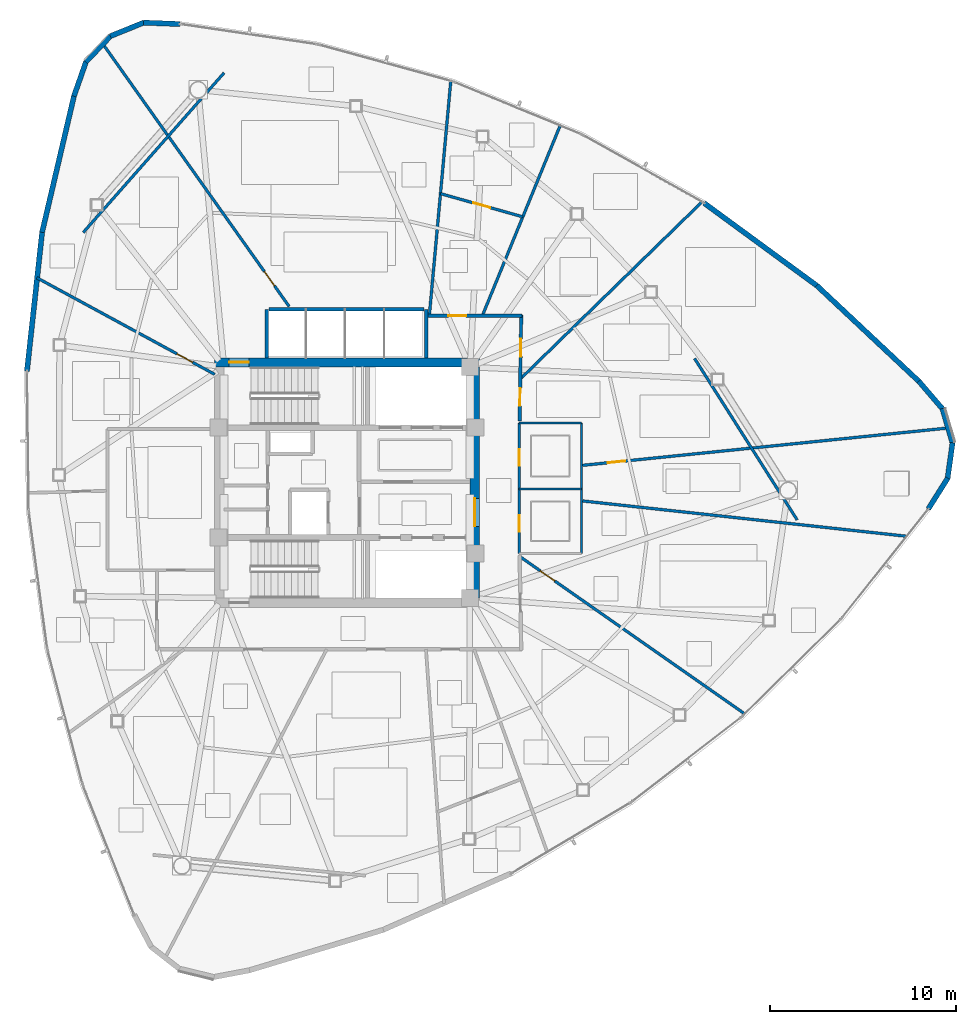
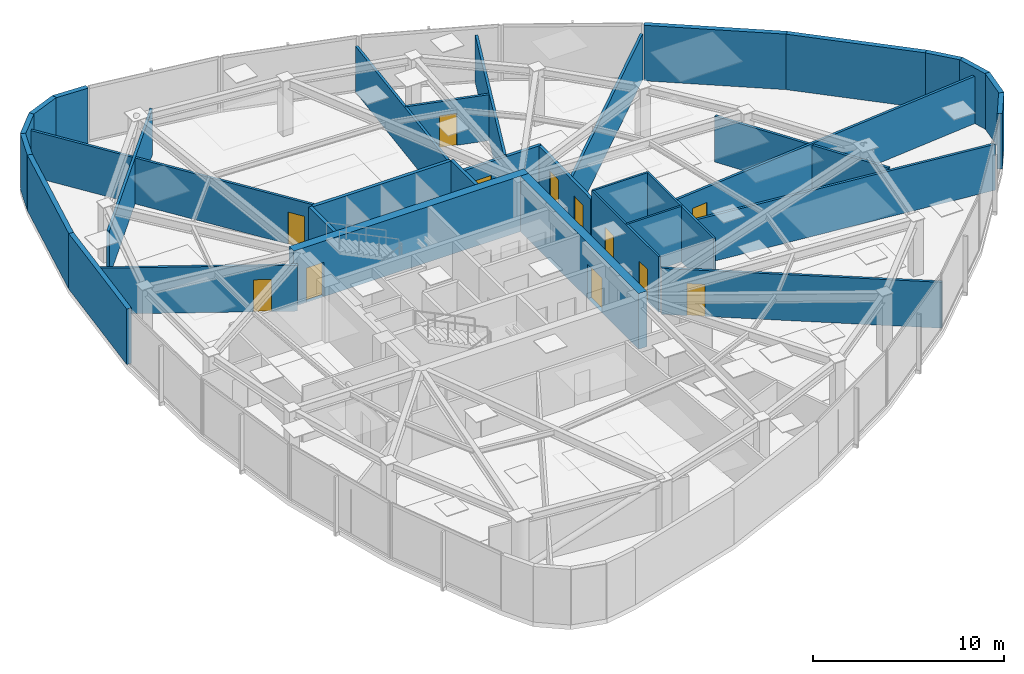
# One storey, part 13 of 18: 34 walls, 12 doors, 12 openings.
"""IFC4 building model written with IfcOpenShell, lengths in metres."""

from ifc_helpers import new_model, si_unit, direction, frame, frame_2d, origin, place, context, subcontext, project, spatial, rectangle, extrude, material, layer, layer_set, type_object, element, fill, save


model = new_model("IFC4")

# Units and contexts
model_context = context("Model", 3, precision=1e-05, world=origin(), true_north=direction((0.0, 1.0)))
body_context = subcontext(model_context, "Body", "Model", "MODEL_VIEW")
ifc_project = project(units=[si_unit("LENGTHUNIT", "METRE"), si_unit("AREAUNIT", "SQUARE_METRE"), si_unit("VOLUMEUNIT", "CUBIC_METRE"), si_unit("PLANEANGLEUNIT", "RADIAN"), si_unit("MASSUNIT", "GRAM", prefix="KILO")], contexts=[model_context])

# Site, building, storey
site_placement = place(None, origin())
site = spatial("IfcSite", under=ifc_project, at=site_placement, CompositionType="ELEMENT")
building_placement = place(site_placement, origin())
building = spatial("IfcBuilding", under=site, at=building_placement, Name="Tavelor Broadcast Tower", CompositionType="ELEMENT")
storey_placement = place(building_placement, frame((0.0, 0.0, 177.199951171875)))
storey = spatial("IfcBuildingStorey", under=building, at=storey_placement, Name="L42", CompositionType="ELEMENT", Elevation=177.199951171875)

# Wall, opening, door
ifc_material_1 = material(Name="Concrete C50/60", Category="concrete")
ifc_layer_1 = layer(ifc_material_1, 0.5)
ifc_layer_set_1 = layer_set([ifc_layer_1], Name="Concrete C50/60")
wall_type_1 = type_object("IfcWallType", Name="Core Shear Wall 500 mm", PredefinedType="SHEAR", material=ifc_layer_set_1)
wall_1_placement = place(storey_placement, frame((42.89990234375, 51.449951171875, 0.0), z_axis=(0.0, 0.0, 1.0), x_axis=(1.0, 0.0, 0.0)))
wall_1 = element("IfcWall", 1, at=wall_1_placement, inside=storey, type_object=wall_type_1, Name="L42 Central Core Shear Wall N", PredefinedType="SHEAR", context=body_context, shape_type="SweptSolid", body=[
    extrude(rectangle(XDim=14.2001953125, YDim=0.5, at=frame_2d((7.10009765625, 0.0))), origin(), (0.0, 0.0, 1.0), 3.550048828125),
])
opening_1_placement = place(wall_1_placement, frame((0.780029296875, 0.0, 0.0)))
opening_1 = element("IfcOpeningElement", 2, at=opening_1_placement, cuts=wall_1, Name="Opening DR11", PredefinedType="OPENING", context=body_context, shape_type="SweptSolid", body=[
    extrude(rectangle(XDim=1.050048828125, YDim=2.199951171875, at=frame_2d((0.52490234375, 1.10009765625))), frame((0.0, 0.260009765625, 0.0), z_axis=(0.0, -1.0, 0.0), x_axis=(1.0, 0.0, 0.0)), (0.0, 0.0, 1.0), 0.52001953125),
])
ifc_material_2 = material(Name="Steel S355", Category="steel")
door_type_1 = type_object("IfcDoorType", Name="Stair Core Fire Escape Door 1050x2200", OperationType="NOTDEFINED", PredefinedType="DOOR", material=ifc_material_2)
door_1_placement = place(opening_1_placement, origin())
door_1 = element("IfcDoor", 3, at=door_1_placement, inside=storey, type_object=door_type_1, Name="L42 Stair ST1 Protected Exit Door", OperationType="SINGLE_SWING_LEFT", OverallHeight=2.199951171875, OverallWidth=1.050048828125, PredefinedType="DOOR", context=body_context, shape_type="SweptSolid", body=[
    extrude(rectangle(XDim=1.050048828125, YDim=2.199951171875, at=frame_2d((0.52490234375, 1.10009765625))), frame((0.0, 0.02490234375, 0.0), z_axis=(0.0, -1.0, 0.0), x_axis=(1.0, 0.0, 0.0)), (0.0, 0.0, 1.0), 0.050048828125),
])
fill(opening_1, door_1)

wall_2_placement = place(storey_placement, frame((56.85009765625, 38.800048828125, 0.0), z_axis=(0.0, 0.0, 1.0), x_axis=(0.0, 1.0, 0.0)))
wall_2 = element("IfcWall", 4, at=wall_2_placement, inside=storey, type_object=wall_type_1, Name="L42 Central Core Shear Wall E", PredefinedType="SHEAR", context=body_context, shape_type="SweptSolid", body=[
    extrude(rectangle(XDim=12.39990234375, YDim=0.5, at=frame_2d((6.199951171875, 0.0))), origin(), (0.0, 0.0, 1.0), 3.550048828125),
])
opening_2_placement = place(wall_2_placement, frame((3.85009765625, 0.0, 0.0)))
opening_2 = element("IfcOpeningElement", 5, at=opening_2_placement, cuts=wall_2, Name="Opening DR14", PredefinedType="OPENING", context=body_context, shape_type="SweptSolid", body=[
    extrude(rectangle(XDim=1.5, YDim=2.199951171875, at=frame_2d((0.75, 1.10009765625))), frame((0.0, 0.260009765625, 0.0), z_axis=(0.0, -1.0, 0.0), x_axis=(1.0, 0.0, 0.0)), (0.0, 0.0, 1.0), 0.52001953125),
])
door_type_2 = type_object("IfcDoorType", Name="Firefighting Lobby Double Fire Door 1500x2200", OperationType="NOTDEFINED", PredefinedType="DOOR", material=ifc_material_2)
door_2_placement = place(opening_2_placement, origin())
door_2 = element("IfcDoor", 6, at=door_2_placement, inside=storey, type_object=door_type_2, Name="L42 Central Core Lobby Fire Door", OperationType="SINGLE_SWING_RIGHT", OverallHeight=2.199951171875, OverallWidth=1.5, PredefinedType="DOOR", context=body_context, shape_type="SweptSolid", body=[
    extrude(rectangle(XDim=1.5, YDim=2.199951171875, at=frame_2d((0.75, 1.10009765625))), frame((0.0, 0.02490234375, 0.0), z_axis=(0.0, -1.0, 0.0), x_axis=(1.0, 0.0, 0.0)), (0.0, 0.0, 1.0), 0.050048828125),
])
fill(opening_2, door_2)

ifc_material_3 = material(Name="Calcium Silicate Fire Board 180 mm", Category="gypsum")
ifc_layer_2 = layer(ifc_material_3, 0.179931640625)
ifc_layer_set_2 = layer_set([ifc_layer_2], Name="Calcium Silicate Fire Board 180 mm")
wall_type_2 = type_object("IfcWallType", Name="Fire-Rated Corridor Partition Wall 180 mm", PredefinedType="PARTITIONING", material=ifc_layer_set_2)
wall_3_placement = place(storey_placement, frame((54.300048828125, 53.949951171875, 0.0), z_axis=(0.0, 0.0, 1.0), x_axis=(1.0, 0.0, 0.0)))
wall_3 = element("IfcWall", 7, at=wall_3_placement, inside=storey, type_object=wall_type_2, Name="L42 Corridor Compartment Wall 01", PredefinedType="PARTITIONING", context=body_context, shape_type="SweptSolid", body=[
    extrude(rectangle(XDim=5.099853515625, YDim=0.179931640625, at=frame_2d((2.5498046875, 0.0))), origin(), (0.0, 0.0, 1.0), 2.93505859375),
])
opening_3_placement = place(wall_3_placement, frame((1.141845703125, 0.0, 0.0)))
opening_3 = element("IfcOpeningElement", 8, at=opening_3_placement, cuts=wall_3, Name="Opening DR18", PredefinedType="OPENING", context=body_context, shape_type="SweptSolid", body=[
    extrude(rectangle(XDim=0.949951171875, YDim=2.050048828125, at=frame_2d((0.47509765625, 1.02490234375))), frame((0.0, 0.10009765625, 0.0), z_axis=(0.0, -1.0, 0.0), x_axis=(1.0, 0.0, 0.0)), (0.0, 0.0, 1.0), 0.199951171875),
])
ifc_material_4 = material(Name="Timber Solid Core Hardwood", Category="wood")
door_type_3 = type_object("IfcDoorType", Name="Corridor Rated Compartment Door 950x2050", OperationType="NOTDEFINED", PredefinedType="DOOR", material=ifc_material_4)
door_3_placement = place(opening_3_placement, origin())
door_3 = element("IfcDoor", 9, at=door_3_placement, inside=storey, type_object=door_type_3, Name="L42 Documentary Research Study Door R14", OperationType="SINGLE_SWING_RIGHT", OverallHeight=2.050048828125, OverallWidth=0.949951171875, PredefinedType="DOOR", context=body_context, shape_type="SweptSolid", body=[
    extrude(rectangle(XDim=0.949951171875, YDim=2.050048828125, at=frame_2d((0.47509765625, 1.02490234375))), frame((0.0, 0.02490234375, 0.0), z_axis=(0.0, -1.0, 0.0), x_axis=(1.0, 0.0, 0.0)), (0.0, 0.0, 1.0), 0.050048828125),
])
fill(opening_3, door_3)

# Wall, openings, doors
wall_4_placement = place(storey_placement, frame((59.3505859375, 54.0, 0.0), z_axis=(0.0, 0.0, 1.0), x_axis=(-0.014903899768, -0.999888930718, 0.0)))
wall_4 = element("IfcWall", 10, at=wall_4_placement, inside=storey, type_object=wall_type_2, Name="L42 Corridor Compartment Wall 02", PredefinedType="PARTITIONING", context=body_context, shape_type="SweptSolid", body=[
    extrude(rectangle(XDim=5.70068359375, YDim=0.179931640625, at=frame_2d((2.850341796875, 0.0))), origin(), (0.0, 0.0, 1.0), 2.93505859375),
])
opening_4_placement = place(wall_4_placement, frame((1.29248046875, 0.0, 0.0)))
opening_4 = element("IfcOpeningElement", 11, at=opening_4_placement, cuts=wall_4, Name="Opening DR18", PredefinedType="OPENING", context=body_context, shape_type="SweptSolid", body=[
    extrude(rectangle(XDim=0.949951171875, YDim=2.050048828125, at=frame_2d((0.47509765625, 1.02490234375))), frame((0.0, 0.10009765625, 0.0), z_axis=(0.0, -1.0, 0.0), x_axis=(1.0, 0.0, 0.0)), (0.0, 0.0, 1.0), 0.199951171875),
])
opening_5_placement = place(wall_4_placement, frame((3.92724609375, 0.0, 0.0)))
opening_5 = element("IfcOpeningElement", 12, at=opening_5_placement, cuts=wall_4, Name="Opening DR18", PredefinedType="OPENING", context=body_context, shape_type="SweptSolid", body=[
    extrude(rectangle(XDim=0.949951171875, YDim=2.050048828125, at=frame_2d((0.47509765625, 1.02490234375))), frame((0.0, 0.10009765625, 0.0), z_axis=(0.0, -1.0, 0.0), x_axis=(1.0, 0.0, 0.0)), (0.0, 0.0, 1.0), 0.199951171875),
])
door_4_placement = place(opening_4_placement, origin())
door_4 = element("IfcDoor", 13, at=door_4_placement, inside=storey, type_object=door_type_3, Name="L42 Newsroom Huddle Room Door R9", OperationType="SINGLE_SWING_LEFT", OverallHeight=2.050048828125, OverallWidth=0.949951171875, PredefinedType="DOOR", context=body_context, shape_type="SweptSolid", body=[
    extrude(rectangle(XDim=0.949951171875, YDim=2.050048828125, at=frame_2d((0.47509765625, 1.02490234375))), frame((0.0, 0.02490234375, 0.0), z_axis=(0.0, -1.0, 0.0), x_axis=(1.0, 0.0, 0.0)), (0.0, 0.0, 1.0), 0.050048828125),
])
fill(opening_4, door_4)
door_5_placement = place(opening_5_placement, origin())
door_5 = element("IfcDoor", 14, at=door_5_placement, inside=storey, type_object=door_type_3, Name="L42 Editorial Quiet Study Door R10", OperationType="SINGLE_SWING_RIGHT", OverallHeight=2.050048828125, OverallWidth=0.949951171875, PredefinedType="DOOR", context=body_context, shape_type="SweptSolid", body=[
    extrude(rectangle(XDim=0.949951171875, YDim=2.050048828125, at=frame_2d((0.47509765625, 1.02490234375))), frame((0.0, 0.02490234375, 0.0), z_axis=(0.0, -1.0, 0.0), x_axis=(1.0, 0.0, 0.0)), (0.0, 0.0, 1.0), 0.050048828125),
])
fill(opening_5, door_5)

# Walls
ifc_material_5 = material(Name="Precast Concrete C40/50", Category="concrete")
ifc_layer_3 = layer(ifc_material_5, 0.280029296875)
ifc_layer_set_3 = layer_set([ifc_layer_3], Name="Precast Concrete C40/50")
wall_type_3 = type_object("IfcWallType", Name="Insulated Precast Terracotta Facade Wall 280 mm", PredefinedType="STANDARD", material=ifc_layer_set_3)
wall_5_placement = place(storey_placement, frame((41.02783203125, 69.61083984375, 0.0), z_axis=(0.0, 0.0, 1.0), x_axis=(-0.999227827383, 0.039290571168, 0.0)))
element("IfcWall", 15, at=wall_5_placement, inside=storey, type_object=wall_type_3, Name="L42 Rounded Corner Structural Cladding Pier 01", PredefinedType="STANDARD", context=body_context, shape_type="SweptSolid", body=[
    extrude(rectangle(XDim=1.957275390625, YDim=0.280029296875, at=frame_2d((0.978515625, 0.0))), origin(), (0.0, 0.0, 1.0), 3.550048828125),
])
wall_6_placement = place(storey_placement, frame((39.100830078125, 69.69287109375, 0.0), z_axis=(0.0, 0.0, 1.0), x_axis=(-0.926840788413, -0.375454595036, 0.0)))
element("IfcWall", 16, at=wall_6_placement, inside=storey, type_object=wall_type_3, Name="L42 Rounded Corner Structural Cladding Pier 02", PredefinedType="STANDARD", context=body_context, shape_type="SweptSolid", body=[
    extrude(rectangle(XDim=1.945556640625, YDim=0.280029296875, at=frame_2d((0.97265625, 0.0))), origin(), (0.0, 0.0, 1.0), 3.550048828125),
])
wall_7_placement = place(storey_placement, frame((37.32177734375, 68.978759765625, 0.0), z_axis=(0.0, 0.0, 1.0), x_axis=(-0.69022204711, -0.723597626919, 0.0)))
element("IfcWall", 17, at=wall_7_placement, inside=storey, type_object=wall_type_3, Name="L42 Rounded Corner Structural Cladding Pier 03", PredefinedType="STANDARD", context=body_context, shape_type="SweptSolid", body=[
    extrude(rectangle(XDim=1.94580078125, YDim=0.280029296875, at=frame_2d((0.972900390625, 0.0))), origin(), (0.0, 0.0, 1.0), 3.550048828125),
])
wall_8_placement = place(storey_placement, frame((35.993896484375, 67.595947265625, 0.0), z_axis=(0.0, 0.0, 1.0), x_axis=(-0.33129501768, -0.943527218081, 0.0)))
element("IfcWall", 18, at=wall_8_placement, inside=storey, type_object=wall_type_3, Name="L42 Rounded Corner Structural Cladding Pier 04", PredefinedType="STANDARD", context=body_context, shape_type="SweptSolid", body=[
    extrude(rectangle(XDim=1.96826171875, YDim=0.280029296875, at=frame_2d((0.984130859375, 0.0))), origin(), (0.0, 0.0, 1.0), 3.550048828125),
])
wall_9_placement = place(storey_placement, frame((35.35009765625, 65.767578125, 0.0), z_axis=(0.0, 0.0, 1.0), x_axis=(-0.227932176766, -0.973677011537, 0.0)))
element("IfcWall", 19, at=wall_9_placement, inside=storey, type_object=wall_type_3, Name="L42 Rounded Corner Structural Cladding Pier 05", PredefinedType="STANDARD", context=body_context, shape_type="SweptSolid", body=[
    extrude(rectangle(XDim=7.53515625, YDim=0.280029296875, at=frame_2d((3.767578125, 0.0))), origin(), (0.0, 0.0, 1.0), 3.550048828125),
])
wall_10_placement = place(storey_placement, frame((33.6376953125, 58.460205078125, 0.0), z_axis=(0.0, 0.0, 1.0), x_axis=(-0.108447510175, -0.994102176608, 0.0)))
element("IfcWall", 20, at=wall_10_placement, inside=storey, type_object=wall_type_3, Name="L42 Rounded Corner Structural Cladding Pier 06", PredefinedType="STANDARD", context=body_context, shape_type="SweptSolid", body=[
    extrude(rectangle(XDim=7.523681640625, YDim=0.280029296875, at=frame_2d((3.76171875, 0.0))), origin(), (0.0, 0.0, 1.0), 3.550048828125),
])
wall_11_placement = place(storey_placement, frame((81.19970703125, 43.582275390625, 0.0), z_axis=(0.0, 0.0, 1.0), x_axis=(0.533570590972, 0.845755534685, 0.0)))
element("IfcWall", 21, at=wall_11_placement, inside=storey, type_object=wall_type_3, Name="L42 Rounded Corner Structural Cladding Pier 21", PredefinedType="STANDARD", context=body_context, shape_type="SweptSolid", body=[
    extrude(rectangle(XDim=1.95751953125, YDim=0.280029296875, at=frame_2d((0.978759765625, 0.0))), origin(), (0.0, 0.0, 1.0), 3.550048828125),
])
for number, where, z_axis, x_axis, name in (
    (22, (82.234130859375, 45.210205078125, 0.0), (0.0, 0.0, 1.0), (0.138399252387, 0.990376517764, 0.0), "L42 Rounded Corner Structural Cladding Pier 22"),
    (23, (82.50537109375, 47.10791015625, 0.0), (0.0, 0.0, 1.0), (-0.281541341252, 0.959549098883, 0.0), "L42 Rounded Corner Structural Cladding Pier 23"),
):
    element("IfcWall", number, at=place(storey_placement, frame(where, z_axis=z_axis, x_axis=x_axis)), inside=storey, type_object=wall_type_3, Name=name, PredefinedType="STANDARD", context=body_context, shape_type="SweptSolid", body=[
        extrude(rectangle(XDim=1.94580078125, YDim=0.280029296875, at=frame_2d((0.972900390625, 0.0))), origin(), (0.0, 0.0, 1.0), 3.550048828125),
    ])
wall_12_placement = place(storey_placement, frame((81.9716796875, 48.94921875, 0.0), z_axis=(0.0, 0.0, 1.0), x_axis=(-0.651424448018, 0.758713508859, 0.0)))
element("IfcWall", 24, at=wall_12_placement, inside=storey, type_object=wall_type_3, Name="L42 Rounded Corner Structural Cladding Pier 24", PredefinedType="STANDARD", context=body_context, shape_type="SweptSolid", body=[
    extrude(rectangle(XDim=1.96826171875, YDim=0.280029296875, at=frame_2d((0.984130859375, 0.0))), origin(), (0.0, 0.0, 1.0), 3.550048828125),
])
wall_13_placement = place(storey_placement, frame((80.710205078125, 50.4208984375, 0.0), z_axis=(0.0, 0.0, 1.0), x_axis=(-0.729234024458, 0.684264376957, 0.0)))
element("IfcWall", 25, at=wall_13_placement, inside=storey, type_object=wall_type_3, Name="L42 Rounded Corner Structural Cladding Pier 25", PredefinedType="STANDARD", context=body_context, shape_type="SweptSolid", body=[
    extrude(rectangle(XDim=7.535400390625, YDim=0.280029296875, at=frame_2d((3.767578125, 0.0))), origin(), (0.0, 0.0, 1.0), 3.550048828125),
])
wall_14_placement = place(storey_placement, frame((75.238037109375, 55.557861328125, 0.0), z_axis=(0.0, 0.0, 1.0), x_axis=(-0.806682422919, 0.590985167795, 0.0)))
element("IfcWall", 26, at=wall_14_placement, inside=storey, type_object=wall_type_3, Name="L42 Rounded Corner Structural Cladding Pier 26", PredefinedType="STANDARD", context=body_context, shape_type="SweptSolid", body=[
    extrude(rectangle(XDim=7.5234375, YDim=0.280029296875, at=frame_2d((3.76171875, 0.0))), origin(), (0.0, 0.0, 1.0), 3.550048828125),
])
ifc_material_6 = material(Name="Gypsum Acoustic Plasterboard 150 mm", Category="gypsum")
ifc_layer_4 = layer(ifc_material_6, 0.14990234375)
ifc_layer_set_4 = layer_set([ifc_layer_4], Name="Gypsum Acoustic Plasterboard 150 mm")
wall_type_4 = type_object("IfcWallType", Name="Interior Acoustic Partition Wall 150 mm", PredefinedType="PARTITIONING", material=ifc_layer_set_4)
wall_15_placement = place(storey_placement, frame((43.399658203125, 66.988525390625, 0.0), z_axis=(0.0, 0.0, 1.0), x_axis=(-0.661622343701, -0.749837231881, 0.0)))
element("IfcWall", 27, at=wall_15_placement, inside=storey, type_object=wall_type_4, Name="L42 Corner Tube Brace Furring Wall 1", PredefinedType="PARTITIONING", context=body_context, shape_type="SweptSolid", body=[
    extrude(rectangle(XDim=11.42724609375, YDim=0.14990234375, at=frame_2d((5.713623046875, 0.0))), origin(), (0.0, 0.0, 1.0), 2.93505859375),
])
wall_16_placement = place(storey_placement, frame((74.16259765625, 42.9931640625, 0.0), z_axis=(0.0, 0.0, 1.0), x_axis=(-0.53628142437, 0.844039237166, 0.0)))
element("IfcWall", 28, at=wall_16_placement, inside=storey, type_object=wall_type_4, Name="L42 Corner Tube Brace Furring Wall 3", PredefinedType="PARTITIONING", context=body_context, shape_type="SweptSolid", body=[
    extrude(rectangle(XDim=10.266845703125, YDim=0.14990234375, at=frame_2d((5.13330078125, 0.0))), origin(), (0.0, 0.0, 1.0), 2.93505859375),
])

# Wall, opening, door
wall_17_placement = place(storey_placement, frame((42.89990234375, 50.8095703125, 0.0), z_axis=(0.0, 0.0, 1.0), x_axis=(-0.878810866854, 0.477170263427, 0.0)))
wall_17 = element("IfcWall", 29, at=wall_17_placement, inside=storey, type_object=wall_type_4, Name="L42 Radial Compartment Wall 01", PredefinedType="PARTITIONING", context=body_context, shape_type="SweptSolid", body=[
    extrude(rectangle(XDim=10.857666015625, YDim=0.14990234375, at=frame_2d((5.4287109375, 0.0))), origin(), (0.0, 0.0, 1.0), 2.93505859375),
])
opening_6_placement = place(wall_17_placement, frame((1.35009765625, 0.0, 0.0)))
opening_6 = element("IfcOpeningElement", 30, at=opening_6_placement, cuts=wall_17, Name="Opening DR18", PredefinedType="OPENING", context=body_context, shape_type="SweptSolid", body=[
    extrude(rectangle(XDim=0.949951171875, YDim=2.050048828125, at=frame_2d((0.47509765625, 1.02490234375))), frame((0.0, 0.0849609375, 0.0), z_axis=(0.0, -1.0, 0.0), x_axis=(1.0, 0.0, 0.0)), (0.0, 0.0, 1.0), 0.169921875),
])
door_6_placement = place(opening_6_placement, origin())
door_6 = element("IfcDoor", 31, at=door_6_placement, inside=storey, type_object=door_type_3, Name="L42 Suite Connecting Door 6", OperationType="SINGLE_SWING_LEFT", OverallHeight=2.050048828125, OverallWidth=0.949951171875, PredefinedType="DOOR", context=body_context, shape_type="SweptSolid", body=[
    extrude(rectangle(XDim=0.949951171875, YDim=2.050048828125, at=frame_2d((0.47509765625, 1.02490234375))), frame((0.0, 0.02490234375, 0.0), z_axis=(0.0, -1.0, 0.0), x_axis=(1.0, 0.0, 0.0)), (0.0, 0.0, 1.0), 0.050048828125),
])
fill(opening_6, door_6)

wall_18_placement = place(storey_placement, frame((59.266845703125, 41.03662109375, 0.0), z_axis=(0.0, 0.0, 1.0), x_axis=(0.819456500976, -0.573141381344, 0.0)))
wall_18 = element("IfcWall", 32, at=wall_18_placement, inside=storey, type_object=wall_type_4, Name="L42 Radial Compartment Wall 07", PredefinedType="PARTITIONING", context=body_context, shape_type="SweptSolid", body=[
    extrude(rectangle(XDim=14.755615234375, YDim=0.14990234375, at=frame_2d((7.3779296875, 0.0))), origin(), (0.0, 0.0, 1.0), 2.93505859375),
])
opening_7_placement = place(wall_18_placement, frame((1.35009765625, 0.0, 0.0)))
opening_7 = element("IfcOpeningElement", 33, at=opening_7_placement, cuts=wall_18, Name="Opening DR18", PredefinedType="OPENING", context=body_context, shape_type="SweptSolid", body=[
    extrude(rectangle(XDim=0.949951171875, YDim=2.050048828125, at=frame_2d((0.47509765625, 1.02490234375))), frame((0.0, 0.0849609375, 0.0), z_axis=(0.0, -1.0, 0.0), x_axis=(1.0, 0.0, 0.0)), (0.0, 0.0, 1.0), 0.169921875),
])
door_7_placement = place(opening_7_placement, origin())
door_7 = element("IfcDoor", 34, at=door_7_placement, inside=storey, type_object=door_type_3, Name="L42 Suite Connecting Door 12", OperationType="SINGLE_SWING_LEFT", OverallHeight=2.050048828125, OverallWidth=0.949951171875, PredefinedType="DOOR", context=body_context, shape_type="SweptSolid", body=[
    extrude(rectangle(XDim=0.949951171875, YDim=2.050048828125, at=frame_2d((0.47509765625, 1.02490234375))), frame((0.0, 0.02490234375, 0.0), z_axis=(0.0, -1.0, 0.0), x_axis=(1.0, 0.0, 0.0)), (0.0, 0.0, 1.0), 0.050048828125),
])
fill(opening_7, door_7)

# Wall
wall_19_placement = place(storey_placement, frame((62.64990234375, 44.013671875, 0.0), z_axis=(0.0, 0.0, 1.0), x_axis=(0.994112397919, -0.108353773829, 0.0)))
element("IfcWall", 35, at=wall_19_placement, inside=storey, type_object=wall_type_4, Name="L42 Radial Compartment Wall 08", PredefinedType="PARTITIONING", context=body_context, shape_type="SweptSolid", body=[
    extrude(rectangle(XDim=17.502685546875, YDim=0.14990234375, at=frame_2d((8.75146484375, 0.0))), origin(), (0.0, 0.0, 1.0), 2.93505859375),
])

# Wall, opening, door
wall_20_placement = place(storey_placement, frame((62.64990234375, 45.9248046875, 0.0), z_axis=(0.0, 0.0, 1.0), x_axis=(0.994818188215, 0.10166991884, 0.0)))
wall_20 = element("IfcWall", 36, at=wall_20_placement, inside=storey, type_object=wall_type_4, Name="L42 Radial Compartment Wall 09", PredefinedType="PARTITIONING", context=body_context, shape_type="SweptSolid", body=[
    extrude(rectangle(XDim=19.726806640625, YDim=0.14990234375, at=frame_2d((9.86328125, 0.0))), origin(), (0.0, 0.0, 1.0), 3.025146484375),
])
opening_8_placement = place(wall_20_placement, frame((1.35009765625, 0.0, 0.0)))
opening_8 = element("IfcOpeningElement", 37, at=opening_8_placement, cuts=wall_20, Name="Opening DR18", PredefinedType="OPENING", context=body_context, shape_type="SweptSolid", body=[
    extrude(rectangle(XDim=0.949951171875, YDim=2.050048828125, at=frame_2d((0.47509765625, 1.02490234375))), frame((0.0, 0.0849609375, 0.0), z_axis=(0.0, -1.0, 0.0), x_axis=(1.0, 0.0, 0.0)), (0.0, 0.0, 1.0), 0.169921875),
])
door_8_placement = place(opening_8_placement, origin())
door_8 = element("IfcDoor", 38, at=door_8_placement, inside=storey, type_object=door_type_3, Name="L42 Suite Connecting Door 11", OperationType="SINGLE_SWING_RIGHT", OverallHeight=2.050048828125, OverallWidth=0.949951171875, PredefinedType="DOOR", context=body_context, shape_type="SweptSolid", body=[
    extrude(rectangle(XDim=0.949951171875, YDim=2.050048828125, at=frame_2d((0.47509765625, 1.02490234375))), frame((0.0, 0.02490234375, 0.0), z_axis=(0.0, -1.0, 0.0), x_axis=(1.0, 0.0, 0.0)), (0.0, 0.0, 1.0), 0.050048828125),
])
fill(opening_8, door_8)

# Walls
wall_21_placement = place(storey_placement, frame((59.29931640625, 50.555908203125, 0.0), z_axis=(0.0, 0.0, 1.0), x_axis=(0.716064123936, 0.698034505173, 0.0)))
element("IfcWall", 39, at=wall_21_placement, inside=storey, type_object=wall_type_4, Name="L42 Radial Compartment Wall 10", PredefinedType="PARTITIONING", context=body_context, shape_type="SweptSolid", body=[
    extrude(rectangle(XDim=13.635986328125, YDim=0.14990234375, at=frame_2d((6.81787109375, 0.0))), origin(), (0.0, 0.0, 1.0), 2.93505859375),
])
wall_22_placement = place(storey_placement, frame((57.26220703125, 53.949951171875, 0.0), z_axis=(0.0, 0.0, 1.0), x_axis=(0.378714644372, 0.925513488901, 0.0)))
element("IfcWall", 40, at=wall_22_placement, inside=storey, type_object=wall_type_4, Name="L42 Radial Compartment Wall 11", PredefinedType="PARTITIONING", context=body_context, shape_type="SweptSolid", body=[
    extrude(rectangle(XDim=11.040283203125, YDim=0.14990234375, at=frame_2d((5.52001953125, 0.0))), origin(), (0.0, 0.0, 1.0), 3.025146484375),
])
wall_23_placement = place(storey_placement, frame((54.418212890625, 53.949951171875, 0.0), z_axis=(0.0, 0.0, 1.0), x_axis=(0.091038002484, 0.995847419088, 0.0)))
element("IfcWall", 41, at=wall_23_placement, inside=storey, type_object=wall_type_4, Name="L42 Radial Compartment Wall 12", PredefinedType="PARTITIONING", context=body_context, shape_type="SweptSolid", body=[
    extrude(rectangle(XDim=12.665771484375, YDim=0.14990234375, at=frame_2d((6.3330078125, 0.0))), origin(), (0.0, 0.0, 1.0), 2.93505859375),
])

# Wall, opening, door
wall_24_placement = place(storey_placement, frame((46.8955078125, 54.449951171875, 0.0), z_axis=(0.0, 0.0, 1.0), x_axis=(-0.578628204747, 0.81559144225, 0.0)))
wall_24 = element("IfcWall", 42, at=wall_24_placement, inside=storey, type_object=wall_type_4, Name="L42 Radial Compartment Wall 13", PredefinedType="PARTITIONING", context=body_context, shape_type="SweptSolid", body=[
    extrude(rectangle(XDim=17.283203125, YDim=0.14990234375, at=frame_2d((8.6416015625, 0.0))), origin(), (0.0, 0.0, 1.0), 2.93505859375),
])
opening_9_placement = place(wall_24_placement, frame((1.35009765625, 0.0, 0.0)))
opening_9 = element("IfcOpeningElement", 43, at=opening_9_placement, cuts=wall_24, Name="Opening DR18", PredefinedType="OPENING", context=body_context, shape_type="SweptSolid", body=[
    extrude(rectangle(XDim=0.949951171875, YDim=2.050048828125, at=frame_2d((0.47509765625, 1.02490234375))), frame((0.0, 0.0849609375, 0.0), z_axis=(0.0, -1.0, 0.0), x_axis=(1.0, 0.0, 0.0)), (0.0, 0.0, 1.0), 0.169921875),
])
door_9_placement = place(opening_9_placement, origin())
door_9 = element("IfcDoor", 44, at=door_9_placement, inside=storey, type_object=door_type_3, Name="L42 Suite Connecting Door 7", OperationType="SINGLE_SWING_LEFT", OverallHeight=2.050048828125, OverallWidth=0.949951171875, PredefinedType="DOOR", context=body_context, shape_type="SweptSolid", body=[
    extrude(rectangle(XDim=0.949951171875, YDim=2.050048828125, at=frame_2d((0.47509765625, 1.02490234375))), frame((0.0, 0.02490234375, 0.0), z_axis=(0.0, -1.0, 0.0), x_axis=(1.0, 0.0, 0.0)), (0.0, 0.0, 1.0), 0.050048828125),
])
fill(opening_9, door_9)

wall_25_placement = place(storey_placement, frame((59.436279296875, 59.26318359375, 0.0), z_axis=(0.0, 0.0, 1.0), x_axis=(-0.962485295009, 0.27133384767, 0.0)))
wall_25 = element("IfcWall", 45, at=wall_25_placement, inside=storey, type_object=wall_type_4, Name="L42 Suite Chord Partition Wall 02", PredefinedType="PARTITIONING", context=body_context, shape_type="SweptSolid", body=[
    extrude(rectangle(XDim=4.590576171875, YDim=0.14990234375, at=frame_2d((2.29541015625, 0.0))), origin(), (0.0, 0.0, 1.0), 2.93505859375),
])
opening_10_placement = place(wall_25_placement, frame((1.8203125, 0.0, 0.0)))
opening_10 = element("IfcOpeningElement", 46, at=opening_10_placement, cuts=wall_25, Name="Opening DR23", PredefinedType="OPENING", context=body_context, shape_type="SweptSolid", body=[
    extrude(rectangle(XDim=0.949951171875, YDim=2.050048828125, at=frame_2d((0.47509765625, 1.02490234375))), frame((0.0, 0.0849609375, 0.0), z_axis=(0.0, -1.0, 0.0), x_axis=(1.0, 0.0, 0.0)), (0.0, 0.0, 1.0), 0.169921875),
])
door_type_4 = type_object("IfcDoorType", Name="Editorial Room Acoustic Door 950x2050", OperationType="NOTDEFINED", PredefinedType="DOOR", material=ifc_material_4)
door_10_placement = place(opening_10_placement, origin())
door_10 = element("IfcDoor", 47, at=door_10_placement, inside=storey, type_object=door_type_4, Name="L42 Outer Suite Partition Door 2", OperationType="SINGLE_SWING_LEFT", OverallHeight=2.050048828125, OverallWidth=0.949951171875, PredefinedType="DOOR", context=body_context, shape_type="SweptSolid", body=[
    extrude(rectangle(XDim=0.949951171875, YDim=2.050048828125, at=frame_2d((0.47509765625, 1.02490234375))), frame((0.0, 0.02490234375, 0.0), z_axis=(0.0, -1.0, 0.0), x_axis=(1.0, 0.0, 0.0)), (0.0, 0.0, 1.0), 0.050048828125),
])
fill(opening_10, door_10)

# Walls
ifc_material_7 = material(Name="Concrete Blockwork 200 mm", Category="masonry")
ifc_layer_5 = layer(ifc_material_7, 0.199951171875)
ifc_layer_set_5 = layer_set([ifc_layer_5], Name="Concrete Blockwork 200 mm")
wall_type_5 = type_object("IfcWallType", Name="Lift Hoistway Rated Front Wall 200 mm", PredefinedType="PARTITIONING", material=ifc_layer_set_5)
wall_26_placement = place(storey_placement, frame((45.820068359375, 54.300048828125, 0.0), z_axis=(0.0, 0.0, 1.0), x_axis=(1.0, 0.0, 0.0)))
element("IfcWall", 48, at=wall_26_placement, inside=storey, type_object=wall_type_5, Name="L42 High-Rise Lift Hoistway Front Wall", PredefinedType="PARTITIONING", context=body_context, shape_type="SweptSolid", body=[
    extrude(rectangle(XDim=8.309814453125, YDim=0.199951171875, at=frame_2d((4.15478515625, 0.0))), origin(), (0.0, 0.0, 1.0), 3.550048828125),
])
ifc_layer_6 = layer(ifc_material_7, 0.199951171875)
ifc_layer_set_6 = layer_set([ifc_layer_6], Name="Concrete Blockwork 200 mm")
wall_type_6 = type_object("IfcWallType", Name="Lift and Riser Shaft Enclosure Wall 200 mm", PredefinedType="PARTITIONING", material=ifc_layer_set_6)
for number, where, z_axis, x_axis, name in (
    (49, (45.699951171875, 51.699951171875, 0.0), (0.0, 0.0, 1.0), (0.0, 1.0, 0.0), "L42 High-Rise Lift Shaft West Wall"),
    (50, (54.25, 51.699951171875, 0.0), (0.0, 0.0, 1.0), (0.0, 1.0, 0.0), "L42 High-Rise Lift Shaft East Wall"),
):
    element("IfcWall", number, at=place(storey_placement, frame(where, z_axis=z_axis, x_axis=x_axis)), inside=storey, type_object=wall_type_6, Name=name, PredefinedType="PARTITIONING", context=body_context, shape_type="SweptSolid", body=[
        extrude(rectangle(XDim=2.60009765625, YDim=0.199951171875, at=frame_2d((1.300048828125, 0.0))), origin(), (0.0, 0.0, 1.0), 3.550048828125),
    ])

# Wall, openings, doors
ifc_material_8 = material(Name="Moisture-Resistant Plasterboard 120 mm", Category="gypsum")
ifc_layer_7 = layer(ifc_material_8, 0.1201171875)
ifc_layer_set_7 = layer_set([ifc_layer_7], Name="Moisture-Resistant Plasterboard 120 mm")
wall_type_7 = type_object("IfcWallType", Name="Moisture-Resistant Wet-Room Partition 120 mm", PredefinedType="PARTITIONING", material=ifc_layer_set_7)
wall_27_placement = place(storey_placement, frame((59.239990234375, 41.199951171875, 0.0), z_axis=(0.0, 0.0, 1.0), x_axis=(0.0, 1.0, 0.0)))
wall_27 = element("IfcWall", 51, at=wall_27_placement, inside=storey, type_object=wall_type_7, Name="L42 Floor Washrooms West Wall", PredefinedType="PARTITIONING", context=body_context, shape_type="SweptSolid", body=[
    extrude(rectangle(XDim=7.0, YDim=0.1201171875, at=frame_2d((3.5, 0.0))), origin(), (0.0, 0.0, 1.0), 3.550048828125),
])
opening_11_placement = place(wall_27_placement, frame((1.14990234375, 0.0, 0.0)))
opening_11 = element("IfcOpeningElement", 52, at=opening_11_placement, cuts=wall_27, Name="Opening DR32", PredefinedType="OPENING", context=body_context, shape_type="SweptSolid", body=[
    extrude(rectangle(XDim=0.89990234375, YDim=2.050048828125, at=frame_2d((0.449951171875, 1.02490234375))), frame((0.0, 0.070068359375, 0.0), z_axis=(0.0, -1.0, 0.0), x_axis=(1.0, 0.0, 0.0)), (0.0, 0.0, 1.0), 0.14013671875),
])
opening_12_placement = place(wall_27_placement, frame((4.699951171875, 0.0, 0.0)))
opening_12 = element("IfcOpeningElement", 53, at=opening_12_placement, cuts=wall_27, Name="Opening DR32", PredefinedType="OPENING", context=body_context, shape_type="SweptSolid", body=[
    extrude(rectangle(XDim=0.89990234375, YDim=2.050048828125, at=frame_2d((0.449951171875, 1.02490234375))), frame((0.0, 0.070068359375, 0.0), z_axis=(0.0, -1.0, 0.0), x_axis=(1.0, 0.0, 0.0)), (0.0, 0.0, 1.0), 0.14013671875),
])
door_type_5 = type_object("IfcDoorType", Name="Accessible Washroom Door 900x2050", OperationType="NOTDEFINED", PredefinedType="DOOR", material=ifc_material_4)
door_11_placement = place(opening_11_placement, origin())
door_11 = element("IfcDoor", 54, at=door_11_placement, inside=storey, type_object=door_type_5, Name="L42 Accessible WC Door", OperationType="SINGLE_SWING_LEFT", OverallHeight=2.050048828125, OverallWidth=0.89990234375, PredefinedType="DOOR", context=body_context, shape_type="SweptSolid", body=[
    extrude(rectangle(XDim=0.89990234375, YDim=2.050048828125, at=frame_2d((0.449951171875, 1.02490234375))), frame((0.0, 0.02490234375, 0.0), z_axis=(0.0, -1.0, 0.0), x_axis=(1.0, 0.0, 0.0)), (0.0, 0.0, 1.0), 0.050048828125),
])
fill(opening_11, door_11)
door_12_placement = place(opening_12_placement, origin())
door_12 = element("IfcDoor", 55, at=door_12_placement, inside=storey, type_object=door_type_5, Name="L42 Staff Washroom WC Door", OperationType="SINGLE_SWING_RIGHT", OverallHeight=2.050048828125, OverallWidth=0.89990234375, PredefinedType="DOOR", context=body_context, shape_type="SweptSolid", body=[
    extrude(rectangle(XDim=0.89990234375, YDim=2.050048828125, at=frame_2d((0.449951171875, 1.02490234375))), frame((0.0, 0.02490234375, 0.0), z_axis=(0.0, -1.0, 0.0), x_axis=(1.0, 0.0, 0.0)), (0.0, 0.0, 1.0), 0.050048828125),
])
fill(opening_12, door_12)

# Walls
for number, where, z_axis, x_axis, name in (
    (56, (59.239990234375, 44.64990234375, 0.0), (0.0, 0.0, 1.0), (1.0, 0.0, 0.0), "L42 Floor Washrooms Divider Wall"),
    (57, (59.239990234375, 48.199951171875, 0.0), (0.0, 0.0, 1.0), (1.0, 0.0, 0.0), "L42 Floor Washrooms North Wall"),
):
    element("IfcWall", number, at=place(storey_placement, frame(where, z_axis=z_axis, x_axis=x_axis)), inside=storey, type_object=wall_type_7, Name=name, PredefinedType="PARTITIONING", context=body_context, shape_type="SweptSolid", body=[
        extrude(rectangle(XDim=3.340087890625, YDim=0.1201171875, at=frame_2d((1.669921875, 0.0))), origin(), (0.0, 0.0, 1.0), 3.550048828125),
    ])
wall_28_placement = place(storey_placement, frame((62.580078125, 41.199951171875, 0.0), z_axis=(0.0, 0.0, 1.0), x_axis=(0.0, 1.0, 0.0)))
element("IfcWall", 58, at=wall_28_placement, inside=storey, type_object=wall_type_7, Name="L42 Floor Washrooms East Wall", PredefinedType="PARTITIONING", context=body_context, shape_type="SweptSolid", body=[
    extrude(rectangle(XDim=7.0, YDim=0.1201171875, at=frame_2d((3.5, 0.0))), origin(), (0.0, 0.0, 1.0), 3.550048828125),
])

save(model, "model.ifc")
